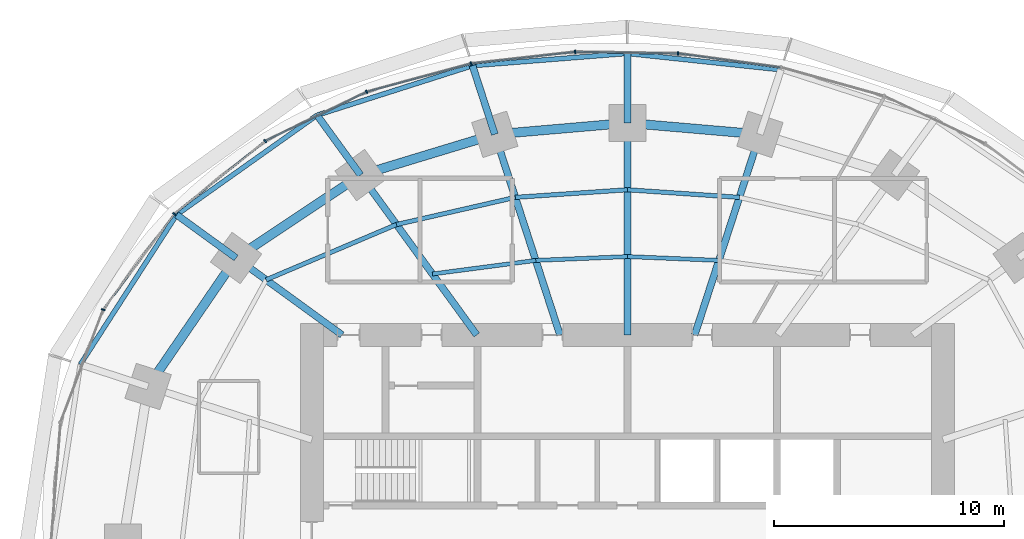
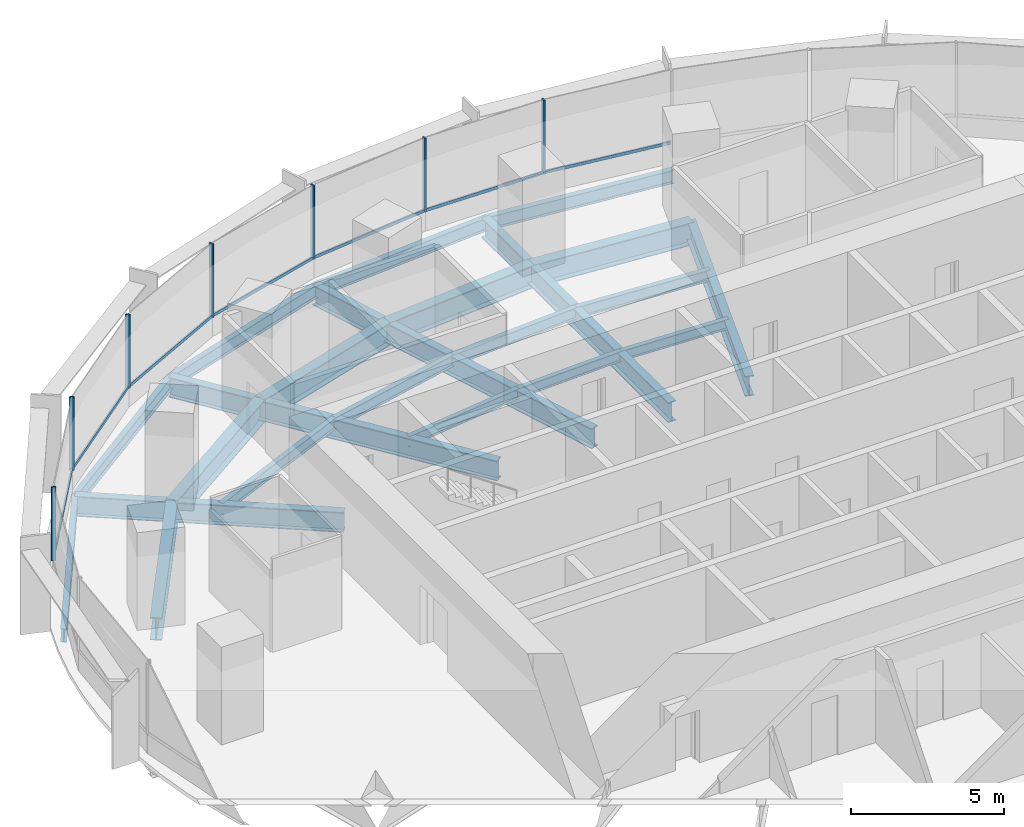
# One storey, part 7 of 14: 26 beams, 14 members, 2 elements without a shape of their own.
"""IFC4 building model written with IfcOpenShell, lengths in metres."""

import ifcopenshell
import ifcopenshell.guid

model = None  # the IFC model being written
_history = None  # IfcOwnerHistory: only IFC2X3 demands one
_inside = {}  # id of a spatial element -> (the spatial element, [elements in it])
_under = {}  # id of a project, library or spatial element -> (it, [spatial elements below it])
_declared = {}  # id of a project -> (the project, [libraries it declares])
_typed = {}  # id of a type object -> (the type object, [elements of that type])
_made_of = {}  # id of a material, layer set ... -> (it, [elements and type objects made of it])


def new_model(schema):
    """Start an empty IFC model of exactly this schema.

    Asked for "IFC4X3", IfcOpenShell would pick the latest addendum, in which some entities
    have other attributes; the version numbers below select the first issue.
    IFC2X3 requires an IfcOwnerHistory on every rooted entity: one is made here for all.
    """
    global model, _history
    if schema == "IFC4X3":
        model = ifcopenshell.file(schema_version=(4, 3, 0, 0))
    else:
        model = ifcopenshell.file(schema=schema)
    _inside.clear()
    _under.clear()
    _declared.clear()
    _typed.clear()
    _made_of.clear()
    _history = None
    if model.schema == "IFC2X3":
        org = make("IfcOrganization", Name="unknown")
        user = make(
            "IfcPersonAndOrganization",
            ThePerson=make("IfcPerson", FamilyName="unknown"),
            TheOrganization=org,
        )
        app = make(
            "IfcApplication",
            ApplicationDeveloper=org,
            Version="unknown",
            ApplicationFullName="unknown",
            ApplicationIdentifier="unknown",
        )
        _history = make(
            "IfcOwnerHistory",
            OwningUser=user,
            OwningApplication=app,
            ChangeAction="ADDED",
            CreationDate=0,
        )
    return model


def make(cls, **values):
    """One entity of the class cls with the attributes given. An attribute that is None is left unset."""
    return model.create_entity(
        cls, **{name: value for name, value in values.items() if value is not None}
    )


def rooted(cls, **values):
    """An entity with a GlobalId (a new one), such as an element, a storey or a relation."""
    return make(cls, GlobalId=ifcopenshell.guid.new(), OwnerHistory=_history, **values)


def si_unit(unit_type, name, prefix=None):
    """IfcSIUnit, for example si_unit("LENGTHUNIT", "METRE", prefix="MILLI")."""
    return make("IfcSIUnit", UnitType=unit_type, Prefix=prefix, Name=name)


def assignment(units):
    """IfcUnitAssignment: the units of a project."""
    return None if units is None else make("IfcUnitAssignment", Units=units)


def point(xyz):
    """IfcCartesianPoint."""
    return None if xyz is None else make("IfcCartesianPoint", Coordinates=xyz)


def direction(xyz):
    """IfcDirection."""
    return None if xyz is None else make("IfcDirection", DirectionRatios=xyz)


def frame(location, z_axis=None, x_axis=None):
    """IfcAxis2Placement3D, a coordinate frame: its origin and axes. An axis left out is left unset."""
    return make(
        "IfcAxis2Placement3D",
        Location=point(location),
        Axis=direction(z_axis),
        RefDirection=direction(x_axis),
    )


def frame_2d(location, x_axis=None):
    """IfcAxis2Placement2D, a coordinate frame in the plane: its origin and x axis."""
    return make(
        "IfcAxis2Placement2D", Location=point(location), RefDirection=direction(x_axis)
    )


def origin():
    """The frame at (0, 0, 0) with its axes left unset."""
    return frame((0.0, 0.0, 0.0))


def origin_2d():
    """The frame at (0, 0) in the plane with its x axis left unset."""
    return frame_2d((0.0, 0.0))


def place(relative_to, where):
    """IfcLocalPlacement: puts the frame where relative to a parent placement (None: the world)."""
    return make(
        "IfcLocalPlacement", PlacementRelTo=relative_to, RelativePlacement=where
    )


def context(
    kind, dimensions, precision=None, world=None, true_north=None, identifier=None
):
    """IfcGeometricRepresentationContext, for example the 3D "Model" context."""
    return make(
        "IfcGeometricRepresentationContext",
        ContextIdentifier=identifier,
        ContextType=kind,
        CoordinateSpaceDimension=dimensions,
        Precision=precision,
        WorldCoordinateSystem=world,
        TrueNorth=true_north,
    )


def subcontext(parent, identifier, kind, view, scale=None):
    """IfcGeometricRepresentationSubContext, for example "Body" below "Model"."""
    return make(
        "IfcGeometricRepresentationSubContext",
        ContextIdentifier=identifier,
        ContextType=kind,
        ParentContext=parent,
        TargetScale=scale,
        TargetView=view,
    )


def project(units=None, contexts=None):
    """IfcProject with its units and contexts."""
    return rooted(
        "IfcProject",
        Name="project",
        RepresentationContexts=contexts,
        UnitsInContext=assignment(units),
    )


def spatial(cls, under=None, at=None, **own):
    """A site, building, storey or space (cls), placed at a placement, below another one or the project."""
    s = rooted(cls, ObjectPlacement=at, **own)
    if under is not None:
        _under.setdefault(under.id(), (under, []))[1].append(s)
    return s


def profile(cls, at=None, kind="AREA", **sizes):
    """A parametric profile (cls). Its sizes go by their IFC names, for example OverallWidth=200.0."""
    return make(cls, ProfileType=kind, Position=at, **sizes)


def rectangle(**sizes):
    """IfcRectangleProfileDef."""
    return profile("IfcRectangleProfileDef", **sizes)


def i_section(**sizes):
    """IfcIShapeProfileDef."""
    return profile("IfcIShapeProfileDef", **sizes)


def extrude(swept, where, along, depth):
    """IfcExtrudedAreaSolid: the profile swept, set in the frame where, extruded along a direction by depth."""
    return make(
        "IfcExtrudedAreaSolid",
        SweptArea=swept,
        Position=where,
        ExtrudedDirection=direction(along),
        Depth=depth,
    )


def shape(context_of_items, identifier, shape_type, items):
    """IfcShapeRepresentation: the items that make up one representation, for example the "Body"."""
    return make(
        "IfcShapeRepresentation",
        ContextOfItems=context_of_items,
        RepresentationIdentifier=identifier,
        RepresentationType=shape_type,
        Items=items,
    )


def material(Name=None, Category=None):
    """IfcMaterial."""
    return make("IfcMaterial", Name=Name, Category=Category)


def material_profile(
    of_material, cross_section, Name=None, Category=None, Priority=None
):
    """IfcMaterialProfile: a cross section and its material."""
    return make(
        "IfcMaterialProfile",
        Name=Name,
        Material=of_material,
        Profile=cross_section,
        Priority=Priority,
        Category=Category,
    )


def profile_set(profiles, Name=None, composite=None):
    """IfcMaterialProfileSet."""
    return make(
        "IfcMaterialProfileSet",
        Name=Name,
        MaterialProfiles=profiles,
        CompositeProfile=composite,
    )


def made_of(thing, what):
    """Note that an element or type object is made of a material, layer set ...; save() writes the relation."""
    if what is not None:
        _made_of.setdefault(what.id(), (what, []))[1].append(thing)
    return thing


def type_object(cls, material=None, **own):
    """A type object (cls), such as IfcWallType, which elements share."""
    return made_of(rooted(cls, **own), material)


def element(
    cls,
    number,
    at=None,
    inside=None,
    cuts=None,
    type_object=None,
    material=None,
    context=None,
    identifier="Body",
    shape_type=None,
    held_by="IfcProductDefinitionShape",
    body=None,
    shapes=None,
    **own,
):
    """One element of the class cls, such as IfcWall. Its Tag is "e" and its number.

    at: its placement. inside: the storey or other place that contains it. cuts: it is an
    opening in that element (IfcRelVoidsElement). A single representation is given by context,
    identifier, shape_type and body (its items); several are given by shapes. held_by: the class
    of the entity that holds the representations. save() writes the other relations.
    """
    e = rooted(cls, Tag="e%d" % number, ObjectPlacement=at, **own)
    if body is not None:
        shapes = [shape(context, identifier, shape_type, body)]
    if shapes is not None:
        e.Representation = make(held_by, Representations=shapes)
    if inside is not None:
        _inside.setdefault(inside.id(), (inside, []))[1].append(e)
    if cuts is not None:
        rooted(
            "IfcRelVoidsElement", RelatingBuildingElement=cuts, RelatedOpeningElement=e
        )
    if type_object is not None:
        _typed.setdefault(type_object.id(), (type_object, []))[1].append(e)
    return made_of(e, material)


def aggregate(whole, parts):
    """IfcRelAggregates: a whole, such as a stair, and the parts it consists of."""
    return rooted("IfcRelAggregates", RelatingObject=whole, RelatedObjects=parts)


def save(model, path):
    """Write the relations noted so far, then the file.

    IfcRelAggregates (storeys below a building ...), IfcRelContainedInSpatialStructure (elements
    in a storey), IfcRelDefinesByType, IfcRelAssociatesMaterial and IfcRelDeclares: one each for
    every whole, place, type object, material and project.
    """
    for whole, parts in _under.values():
        aggregate(whole, parts)
    for where, things in _inside.values():
        rooted(
            "IfcRelContainedInSpatialStructure",
            RelatedElements=things,
            RelatingStructure=where,
        )
    for kind, things in _typed.values():
        rooted("IfcRelDefinesByType", RelatedObjects=things, RelatingType=kind)
    for what, things in _made_of.values():
        rooted("IfcRelAssociatesMaterial", RelatedObjects=things, RelatingMaterial=what)
    for by, libraries in _declared.values():
        rooted("IfcRelDeclares", RelatingContext=by, RelatedDefinitions=libraries)
    model.write(path)


model = new_model("IFC4")

# Units and contexts
model_context = context("Model", 3, precision=1e-05, world=origin(), true_north=direction((0.0, 1.0)))
body_context = subcontext(model_context, "Body", "Model", "MODEL_VIEW")
ifc_project = project(units=[si_unit("LENGTHUNIT", "METRE"), si_unit("AREAUNIT", "SQUARE_METRE"), si_unit("VOLUMEUNIT", "CUBIC_METRE"), si_unit("PLANEANGLEUNIT", "RADIAN"), si_unit("MASSUNIT", "GRAM", prefix="KILO")], contexts=[model_context])

# Site, building, storey
site_placement = place(None, origin())
site = spatial("IfcSite", under=ifc_project, at=site_placement, CompositionType="ELEMENT")
building_placement = place(site_placement, origin())
building = spatial("IfcBuilding", under=site, at=building_placement, Name="Marramba Exchange Tower", CompositionType="ELEMENT")
storey_placement = place(building_placement, frame((0.0, 0.0, 139.199951171875)))
storey = spatial("IfcBuildingStorey", under=building, at=storey_placement, Name="L33", CompositionType="ELEMENT", Elevation=139.199951171875)

# Beams
ifc_material_1 = material(Name="Steel AS/NZS 3679.2 grade 300", Category="steel")
ifc_material_profile_1 = material_profile(ifc_material_1, i_section(OverallWidth=0.300048828125, OverallDepth=0.800048828125, WebThickness=0.013916015625, FlangeThickness=0.031982421875, at=origin_2d()), Name="800WB192")
ifc_profile_set_1 = profile_set([ifc_material_profile_1], Name="Steel AS/NZS 3679.2 grade 300")
beam_type_1 = type_object("IfcBeamType", Name="Cantilever girder 800WB192", PredefinedType="BEAM", material=ifc_profile_set_1)
beam_1_placement = place(storey_placement, frame((0.0, 18.2041015625, -0.56005859375), z_axis=(0.0, 1.0, 0.0), x_axis=(-1.0, 0.0, 0.0)))
element("IfcBeam", 1, at=beam_1_placement, inside=storey, type_object=beam_type_1, Name="Cantilever girder L33 TC06", PredefinedType="BEAM", context=body_context, shape_type="SweptSolid", body=[
    extrude(i_section(OverallWidth=0.300048828125, OverallDepth=0.800048828125, WebThickness=0.013916015625, FlangeThickness=0.031982421875, at=origin_2d()), origin(), (0.0, 0.0, 1.0), 3.01904296875),
])
beam_2_placement = place(storey_placement, frame((-5.75390625, 17.70849609375, -0.56005859375), z_axis=(-0.309028002802, 0.95105293937, 0.0), x_axis=(-0.95105293937, -0.309028002802, 0.0)))
element("IfcBeam", 2, at=beam_2_placement, inside=storey, type_object=beam_type_1, Name="Cantilever girder L33 TC07", PredefinedType="BEAM", context=body_context, shape_type="SweptSolid", body=[
    extrude(i_section(OverallWidth=0.300048828125, OverallDepth=0.800048828125, WebThickness=0.013916015625, FlangeThickness=0.031982421875, at=origin_2d()), origin(), (0.0, 0.0, 1.0), 3.13720703125),
])
beam_3_placement = place(storey_placement, frame((-11.581298828125, 15.9404296875, -0.56005859375), z_axis=(-0.587828447158, 0.808985609706, 0.0), x_axis=(-0.808985609706, -0.587828447158, 0.0)))
element("IfcBeam", 3, at=beam_3_placement, inside=storey, type_object=beam_type_1, Name="Cantilever girder L33 TC08", PredefinedType="BEAM", context=body_context, shape_type="SweptSolid", body=[
    extrude(i_section(OverallWidth=0.300048828125, OverallDepth=0.800048828125, WebThickness=0.013916015625, FlangeThickness=0.031982421875, at=origin_2d()), origin(), (0.0, 0.0, 1.0), 3.214599609375),
])
beam_4_placement = place(storey_placement, frame((-16.98583984375, 12.3408203125, -0.56005859375), z_axis=(-0.809013857915, 0.587789569234, 0.0), x_axis=(-0.587789569234, -0.809013857915, 0.0)))
element("IfcBeam", 4, at=beam_4_placement, inside=storey, type_object=beam_type_1, Name="Cantilever girder L33 TC09", PredefinedType="BEAM", context=body_context, shape_type="SweptSolid", body=[
    extrude(i_section(OverallWidth=0.300048828125, OverallDepth=0.800048828125, WebThickness=0.013916015625, FlangeThickness=0.031982421875, at=origin_2d()), origin(), (0.0, 0.0, 1.0), 3.191650390625),
])
ifc_material_2 = material(Name="Steel AS/NZS 3679.1 grade 300", Category="steel")
ifc_material_profile_2 = material_profile(ifc_material_2, i_section(OverallWidth=0.177978515625, OverallDepth=0.406005859375, WebThickness=0.0078125, FlangeThickness=0.0126953125, FilletRadius=0.011474609375, at=origin_2d()), Name="410UB59.7")
ifc_profile_set_2 = profile_set([ifc_material_profile_2], Name="Steel AS/NZS 3679.1 grade 300")
beam_type_2 = type_object("IfcBeamType", Name="Floor joist 410UB59.7", PredefinedType="JOIST", material=ifc_profile_set_2)
for number, where, z_axis, x_axis, name in (
    (5, (3.975830078125, 12.236083984375, -0.363037109375), (-0.999137002892, 0.041536122257, 0.0), (-0.041536122257, -0.999137002892, 0.0), "Joist L33 bay 05 row 1"),
    (6, (0.0, 12.4013671875, -0.363037109375), (-0.999137002892, -0.041536122257, 0.0), (0.041536122257, -0.999137002892, 0.0), "Joist L33 bay 06 row 1"),
):
    element("IfcBeam", number, at=place(storey_placement, frame(where, z_axis=z_axis, x_axis=x_axis)), inside=storey, type_object=beam_type_2, Name=name, PredefinedType="JOIST", context=body_context, shape_type="SweptSolid", body=[
        extrude(i_section(OverallWidth=0.177978515625, OverallDepth=0.406005859375, WebThickness=0.0078125, FlangeThickness=0.0126953125, FilletRadius=0.011474609375, at=origin_2d()), origin(), (0.0, 0.0, 1.0), 3.979248046875),
    ])
beam_5_placement = place(storey_placement, frame((-3.975830078125, 12.236083984375, -0.363037109375), z_axis=(-0.991480538255, -0.130254912618, 0.0), x_axis=(0.130254912618, -0.991480538255, 0.0)))
element("IfcBeam", 7, at=beam_5_placement, inside=storey, type_object=beam_type_2, Name="Joist L33 bay 07 row 1", PredefinedType="JOIST", context=body_context, shape_type="SweptSolid", body=[
    extrude(i_section(OverallWidth=0.177978515625, OverallDepth=0.406005859375, WebThickness=0.0078125, FlangeThickness=0.0126953125, FilletRadius=0.011474609375, at=origin_2d()), origin(), (0.0, 0.0, 1.0), 4.524658203125),
])
ifc_material_profile_3 = material_profile(ifc_material_2, i_section(OverallWidth=0.18994140625, OverallDepth=0.4541015625, WebThickness=0.008544921875, FlangeThickness=0.0126953125, FilletRadius=0.011474609375, at=origin_2d()), Name="460UB67.1")
ifc_profile_set_3 = profile_set([ifc_material_profile_3], Name="Steel AS/NZS 3679.1 grade 300")
beam_type_3 = type_object("IfcBeamType", Name="Floor joist 460UB67.1", PredefinedType="JOIST", material=ifc_profile_set_3)
for number, where, z_axis, x_axis, name in (
    (8, (4.86474609375, 14.972412109375, -0.386962890625), (-0.997702652202, 0.067745241816, 0.0), (-0.067745241816, -0.997702652202, 0.0), "Joist L33 bay 05 row 2"),
    (9, (0.0, 15.302734375, -0.386962890625), (-0.997702652202, -0.067745241816, 0.0), (0.067745241816, -0.997702652202, 0.0), "Joist L33 bay 06 row 2"),
):
    element("IfcBeam", number, at=place(storey_placement, frame(where, z_axis=z_axis, x_axis=x_axis)), inside=storey, type_object=beam_type_3, Name=name, PredefinedType="JOIST", context=body_context, shape_type="SweptSolid", body=[
        extrude(i_section(OverallWidth=0.18994140625, OverallDepth=0.4541015625, WebThickness=0.008544921875, FlangeThickness=0.0126953125, FilletRadius=0.011474609375, at=origin_2d()), origin(), (0.0, 0.0, 1.0), 4.8759765625),
    ])
beam_6_placement = place(storey_placement, frame((-4.86474609375, 14.972412109375, -0.386962890625), z_axis=(-0.974859652292, -0.222819788916, 0.0), x_axis=(0.222819788916, -0.974859652292, 0.0)))
element("IfcBeam", 10, at=beam_6_placement, inside=storey, type_object=beam_type_3, Name="Joist L33 bay 07 row 2", PredefinedType="JOIST", context=body_context, shape_type="SweptSolid", body=[
    extrude(i_section(OverallWidth=0.18994140625, OverallDepth=0.4541015625, WebThickness=0.008544921875, FlangeThickness=0.0126953125, FilletRadius=0.011474609375, at=origin_2d()), origin(), (0.0, 0.0, 1.0), 5.2900390625),
])
beam_7_placement = place(storey_placement, frame((-10.021728515625, 13.793701171875, -0.386962890625), z_axis=(-0.920674336375, -0.390331610738, 0.0), x_axis=(0.390331610738, -0.920674336375, 0.0)))
element("IfcBeam", 11, at=beam_7_placement, inside=storey, type_object=beam_type_3, Name="Joist L33 bay 08 row 2", PredefinedType="JOIST", context=body_context, shape_type="SweptSolid", body=[
    extrude(i_section(OverallWidth=0.18994140625, OverallDepth=0.4541015625, WebThickness=0.008544921875, FlangeThickness=0.0126953125, FilletRadius=0.011474609375, at=origin_2d()), origin(), (0.0, 0.0, 1.0), 6.1484375),
])

# Curtain wall, members
ifc_material_3 = material(Name="Aluminium framing, bronze anodised", Category="aluminium")
curtain_wall_type = type_object("IfcCurtainWallType", Name="Office ribbon curtain wall", PredefinedType="USERDEFINED", material=ifc_material_3)
curtain_wall_1_placement = place(storey_placement, origin())
curtain_wall_1 = element("IfcCurtainWall", 12, at=curtain_wall_1_placement, inside=storey, type_object=curtain_wall_type, Name="Curtain wall CW4 L33 F06-F10", ObjectType="RIBBON CURTAIN WALL", PredefinedType="USERDEFINED")
ifc_material_4 = material(Name="Aluminium mullion, bronze anodised", Category="aluminium")
ifc_material_profile_4 = material_profile(ifc_material_4, rectangle(XDim=0.159912109375, YDim=0.06005859375, at=origin_2d()), Name="CW4 mullion 60x160")
ifc_profile_set_4 = profile_set([ifc_material_profile_4], Name="Aluminium mullion, bronze anodised")
member_type_1 = type_object("IfcMemberType", Name="Office ribbon curtain wall mullion", PredefinedType="MULLION", material=ifc_profile_set_4)
member_1_placement = place(storey_placement, frame((2.200439453125, 21.2216796875, 0.800048828125), z_axis=(0.0, 0.0, 1.0), x_axis=(-0.01575578169, -0.999875869968, 0.0)))
member_1 = element("IfcMember", 13, at=member_1_placement, type_object=member_type_1, Name="CW4 mullion 1", PredefinedType="MULLION", context=body_context, shape_type="SweptSolid", body=[
    extrude(rectangle(XDim=0.159912109375, YDim=0.06005859375, at=origin_2d()), origin(), (0.0, 0.0, 1.0), 2.93994140625),
])
member_2_placement = place(storey_placement, frame((-2.267578125, 21.288330078125, 0.800048828125), z_axis=(0.0, 0.0, 1.0), x_axis=(0.110973233233, -0.993823395532, 0.0)))
member_2 = element("IfcMember", 14, at=member_2_placement, type_object=member_type_1, Name="CW4 mullion 1", PredefinedType="MULLION", context=body_context, shape_type="SweptSolid", body=[
    extrude(rectangle(XDim=0.159912109375, YDim=0.06005859375, at=origin_2d()), origin(), (0.0, 0.0, 1.0), 2.93994140625),
])
member_3_placement = place(storey_placement, frame((-6.783203125, 20.779541015625, 0.800048828125), z_axis=(0.0, 0.0, 1.0), x_axis=(0.260321294588, -0.965522047176, 0.0)))
member_3 = element("IfcMember", 15, at=member_3_placement, type_object=member_type_1, Name="CW4 mullion 1", PredefinedType="MULLION", context=body_context, shape_type="SweptSolid", body=[
    extrude(rectangle(XDim=0.159912109375, YDim=0.06005859375, at=origin_2d()), origin(), (0.0, 0.0, 1.0), 2.93994140625),
])

curtain_wall_2_placement = place(storey_placement, origin())
curtain_wall_2 = element("IfcCurtainWall", 16, at=curtain_wall_2_placement, inside=storey, type_object=curtain_wall_type, Name="Curtain wall CW4 L33 F11-F15", ObjectType="RIBBON CURTAIN WALL", PredefinedType="USERDEFINED")
member_4_placement = place(storey_placement, frame((-11.32177734375, 19.550048828125, 0.800048828125), z_axis=(0.0, 0.0, 1.0), x_axis=(0.435427626771, -0.900223739881, 0.0)))
member_4 = element("IfcMember", 17, at=member_4_placement, type_object=member_type_1, Name="CW4 mullion 1", PredefinedType="MULLION", context=body_context, shape_type="SweptSolid", body=[
    extrude(rectangle(XDim=0.159912109375, YDim=0.06005859375, at=origin_2d()), origin(), (0.0, 0.0, 1.0), 2.93994140625),
])
member_5_placement = place(storey_placement, frame((-15.720703125, 17.414794921875, 0.800048828125), z_axis=(0.0, 0.0, 1.0), x_axis=(0.624307950145, -0.78117833008, 0.0)))
member_5 = element("IfcMember", 18, at=member_5_placement, type_object=member_type_1, Name="CW4 mullion 1", PredefinedType="MULLION", context=body_context, shape_type="SweptSolid", body=[
    extrude(rectangle(XDim=0.159912109375, YDim=0.06005859375, at=origin_2d()), origin(), (0.0, 0.0, 1.0), 2.93994140625),
])
member_6_placement = place(storey_placement, frame((-19.666748046875, 14.251708984375, 0.800048828125), z_axis=(0.0, 0.0, 1.0), x_axis=(0.80171686484, -0.597703997504, 0.0)))
member_6 = element("IfcMember", 19, at=member_6_placement, type_object=member_type_1, Name="CW4 mullion 1", PredefinedType="MULLION", context=body_context, shape_type="SweptSolid", body=[
    extrude(rectangle(XDim=0.159912109375, YDim=0.06005859375, at=origin_2d()), origin(), (0.0, 0.0, 1.0), 2.93994140625),
])
member_7_placement = place(storey_placement, frame((-22.75341796875, 10.09765625, 0.800048828125), z_axis=(0.0, 0.0, 1.0), x_axis=(0.934925346317, -0.354844468484, 0.0)))
member_7 = element("IfcMember", 20, at=member_7_placement, type_object=member_type_1, Name="CW4 mullion 1", PredefinedType="MULLION", context=body_context, shape_type="SweptSolid", body=[
    extrude(rectangle(XDim=0.159912109375, YDim=0.06005859375, at=origin_2d()), origin(), (0.0, 0.0, 1.0), 2.93994140625),
])

# Member
ifc_material_5 = material(Name="Aluminium transom, bronze anodised", Category="aluminium")
ifc_material_profile_5 = material_profile(ifc_material_5, rectangle(XDim=0.06005859375, YDim=0.1201171875, at=origin_2d()), Name="CW4 transom 60x120")
ifc_profile_set_5 = profile_set([ifc_material_profile_5], Name="Aluminium transom, bronze anodised")
member_type_2 = type_object("IfcMemberType", Name="Office ribbon curtain wall transom", PredefinedType="USERDEFINED", material=ifc_profile_set_5)
member_8_placement = place(storey_placement, frame((6.636962890625, 20.6171875, 0.830078125), z_axis=(-0.990736067897, 0.135801486619, 0.0), x_axis=(-0.135801486619, -0.990736067897, 0.0)))
member_8 = element("IfcMember", 21, at=member_8_placement, type_object=member_type_2, Name="CW4 sill transom", ObjectType="TRANSOM", PredefinedType="USERDEFINED", context=body_context, shape_type="SweptSolid", body=[
    extrude(rectangle(XDim=0.06005859375, YDim=0.1201171875, at=origin_2d()), origin(), (0.0, 0.0, 1.0), 4.44775390625),
])

member_9_placement = place(storey_placement, frame((2.17041015625, 21.22216796875, 0.830078125), z_axis=(-0.999875452363, 0.015782260962, 0.0), x_axis=(-0.015782260962, -0.999875452363, 0.0)))
member_9 = element("IfcMember", 22, at=member_9_placement, type_object=member_type_2, Name="CW4 sill transom", ObjectType="TRANSOM", PredefinedType="USERDEFINED", context=body_context, shape_type="SweptSolid", body=[
    extrude(rectangle(XDim=0.06005859375, YDim=0.1201171875, at=origin_2d()), origin(), (0.0, 0.0, 1.0), 4.40869140625),
])

member_10_placement = place(storey_placement, frame((-2.29736328125, 21.284912109375, 0.830078125), z_axis=(-0.993825837835, -0.110951358943, 0.0), x_axis=(0.110951358943, -0.993825837835, 0.0)))
member_10 = element("IfcMember", 23, at=member_10_placement, type_object=member_type_2, Name="CW4 sill transom", ObjectType="TRANSOM", PredefinedType="USERDEFINED", context=body_context, shape_type="SweptSolid", body=[
    extrude(rectangle(XDim=0.06005859375, YDim=0.1201171875, at=origin_2d()), origin(), (0.0, 0.0, 1.0), 4.484375),
])

member_11_placement = place(storey_placement, frame((-6.812255859375, 20.771728515625, 0.830078125), z_axis=(-0.965511085148, -0.260361948942, 0.0), x_axis=(0.260361948942, -0.965511085148, 0.0)))
member_11 = element("IfcMember", 24, at=member_11_placement, type_object=member_type_2, Name="CW4 sill transom", ObjectType="TRANSOM", PredefinedType="USERDEFINED", context=body_context, shape_type="SweptSolid", body=[
    extrude(rectangle(XDim=0.06005859375, YDim=0.1201171875, at=origin_2d()), origin(), (0.0, 0.0, 1.0), 4.642578125),
])

aggregate(curtain_wall_1, [member_8, member_1, member_9, member_2, member_10, member_3, member_11])

member_12_placement = place(storey_placement, frame((-11.348876953125, 19.536865234375, 0.830078125), z_axis=(-0.900223166385, -0.435428812442, 0.0), x_axis=(0.435428812442, -0.900223166385, 0.0)))
member_12 = element("IfcMember", 25, at=member_12_placement, type_object=member_type_2, Name="CW4 sill transom", ObjectType="TRANSOM", PredefinedType="USERDEFINED", context=body_context, shape_type="SweptSolid", body=[
    extrude(rectangle(XDim=0.06005859375, YDim=0.1201171875, at=origin_2d()), origin(), (0.0, 0.0, 1.0), 4.830322265625),
])

member_13_placement = place(storey_placement, frame((-15.744140625, 17.396240234375, 0.830078125), z_axis=(-0.781164169531, -0.624325668414, 0.0), x_axis=(0.624325668414, -0.781164169531, 0.0)))
member_13 = element("IfcMember", 26, at=member_13_placement, type_object=member_type_2, Name="CW4 sill transom", ObjectType="TRANSOM", PredefinedType="USERDEFINED", context=body_context, shape_type="SweptSolid", body=[
    extrude(rectangle(XDim=0.06005859375, YDim=0.1201171875, at=origin_2d()), origin(), (0.0, 0.0, 1.0), 4.998291015625),
])

member_14_placement = place(storey_placement, frame((-19.6845703125, 14.2275390625, 0.830078125), z_axis=(-0.597714731658, -0.801708862093, 0.0), x_axis=(0.801708862093, -0.597714731658, 0.0)))
member_14 = element("IfcMember", 27, at=member_14_placement, type_object=member_type_2, Name="CW4 sill transom", ObjectType="TRANSOM", PredefinedType="USERDEFINED", context=body_context, shape_type="SweptSolid", body=[
    extrude(rectangle(XDim=0.06005859375, YDim=0.1201171875, at=origin_2d()), origin(), (0.0, 0.0, 1.0), 5.1162109375),
])

aggregate(curtain_wall_2, [member_4, member_12, member_5, member_13, member_6, member_14, member_7])

# Beams
ifc_material_profile_6 = material_profile(ifc_material_1, i_section(OverallWidth=0.300048828125, OverallDepth=0.800048828125, WebThickness=0.013916015625, FlangeThickness=0.031982421875, at=origin_2d()), Name="800WB192")
ifc_profile_set_6 = profile_set([ifc_material_profile_6], Name="Steel AS/NZS 3679.2 grade 300")
beam_type_4 = type_object("IfcBeamType", Name="Radial girder 800WB192", PredefinedType="BEAM", material=ifc_profile_set_6)
beam_8_placement = place(storey_placement, frame((2.92431640625, 9.0, -0.56005859375), z_axis=(0.309019754162, 0.951055619582, 0.0), x_axis=(-0.951055619582, 0.309019754162, 0.0)))
element("IfcBeam", 28, at=beam_8_placement, inside=storey, type_object=beam_type_4, Name="Radial girder L33 TC05", PredefinedType="BEAM", context=body_context, shape_type="SweptSolid", body=[
    extrude(i_section(OverallWidth=0.300048828125, OverallDepth=0.800048828125, WebThickness=0.013916015625, FlangeThickness=0.031982421875, at=origin_2d()), origin(), (0.0, 0.0, 1.0), 9.15673828125),
])
beam_9_placement = place(storey_placement, frame((0.0, 9.0, -0.56005859375), z_axis=(0.0, 1.0, 0.0), x_axis=(-1.0, 0.0, 0.0)))
element("IfcBeam", 29, at=beam_9_placement, inside=storey, type_object=beam_type_4, Name="Radial girder L33 TC06", PredefinedType="BEAM", context=body_context, shape_type="SweptSolid", body=[
    extrude(i_section(OverallWidth=0.300048828125, OverallDepth=0.800048828125, WebThickness=0.013916015625, FlangeThickness=0.031982421875, at=origin_2d()), origin(), (0.0, 0.0, 1.0), 9.2041015625),
])
beam_10_placement = place(storey_placement, frame((-2.92431640625, 9.0, -0.56005859375), z_axis=(-0.309019754162, 0.951055619582, 0.0), x_axis=(-0.951055619582, -0.309019754162, 0.0)))
element("IfcBeam", 30, at=beam_10_placement, inside=storey, type_object=beam_type_4, Name="Radial girder L33 TC07", PredefinedType="BEAM", context=body_context, shape_type="SweptSolid", body=[
    extrude(i_section(OverallWidth=0.300048828125, OverallDepth=0.800048828125, WebThickness=0.013916015625, FlangeThickness=0.031982421875, at=origin_2d()), origin(), (0.0, 0.0, 1.0), 9.15673828125),
])
beam_11_placement = place(storey_placement, frame((-6.538818359375, 9.0, -0.56005859375), z_axis=(-0.587782439969, 0.80901903764, 0.0), x_axis=(-0.80901903764, -0.587782439969, 0.0)))
element("IfcBeam", 31, at=beam_11_placement, inside=storey, type_object=beam_type_4, Name="Radial girder L33 TC08", PredefinedType="BEAM", context=body_context, shape_type="SweptSolid", body=[
    extrude(i_section(OverallWidth=0.300048828125, OverallDepth=0.800048828125, WebThickness=0.013916015625, FlangeThickness=0.031982421875, at=origin_2d()), origin(), (0.0, 0.0, 1.0), 8.578857421875),
])
beam_12_placement = place(storey_placement, frame((-12.387451171875, 9.0, -0.56005859375), z_axis=(-0.809025746925, 0.587773205252, 0.0), x_axis=(-0.587773205252, -0.809025746925, 0.0)))
element("IfcBeam", 32, at=beam_12_placement, inside=storey, type_object=beam_type_4, Name="Radial girder L33 TC09", PredefinedType="BEAM", context=body_context, shape_type="SweptSolid", body=[
    extrude(i_section(OverallWidth=0.300048828125, OverallDepth=0.800048828125, WebThickness=0.013916015625, FlangeThickness=0.031982421875, at=origin_2d()), origin(), (0.0, 0.0, 1.0), 5.683837890625),
])
ifc_material_profile_7 = material_profile(ifc_material_1, i_section(OverallWidth=0.39990234375, OverallDepth=0.89990234375, WebThickness=0.01611328125, FlangeThickness=0.031982421875, at=origin_2d()), Name="900WB282")
ifc_profile_set_7 = profile_set([ifc_material_profile_7], Name="Steel AS/NZS 3679.2 grade 300")
beam_type_5 = type_object("IfcBeamType", Name="Ring beam 900WB282", PredefinedType="SPANDREL", material=ifc_profile_set_7)
for number, where, z_axis, x_axis, name in (
    (33, (5.75390625, 17.70849609375, -0.60986328125), (-0.996311003275, 0.085815993578, 0.0), (-0.085815993578, -0.996311003275, 0.0), "Ring beam L33 TC05-TC06"),
    (34, (0.0, 18.2041015625, -0.60986328125), (-0.996311003275, -0.085815993578, 0.0), (0.085815993578, -0.996311003275, 0.0), "Ring beam L33 TC06-TC07"),
):
    element("IfcBeam", number, at=place(storey_placement, frame(where, z_axis=z_axis, x_axis=x_axis)), inside=storey, type_object=beam_type_5, Name=name, PredefinedType="SPANDREL", context=body_context, shape_type="SweptSolid", body=[
        extrude(i_section(OverallWidth=0.39990234375, OverallDepth=0.89990234375, WebThickness=0.01611328125, FlangeThickness=0.031982421875, at=origin_2d()), origin(), (0.0, 0.0, 1.0), 5.775146484375),
    ])
beam_13_placement = place(storey_placement, frame((-5.75390625, 17.70849609375, -0.60986328125), z_axis=(-0.956924542524, -0.290336735387, 0.0), x_axis=(0.290336735387, -0.956924542524, 0.0)))
element("IfcBeam", 35, at=beam_13_placement, inside=storey, type_object=beam_type_5, Name="Ring beam L33 TC07-TC08", PredefinedType="SPANDREL", context=body_context, shape_type="SweptSolid", body=[
    extrude(i_section(OverallWidth=0.39990234375, OverallDepth=0.89990234375, WebThickness=0.01611328125, FlangeThickness=0.031982421875, at=origin_2d()), origin(), (0.0, 0.0, 1.0), 6.089599609375),
])
beam_14_placement = place(storey_placement, frame((-11.581298828125, 15.9404296875, -0.60986328125), z_axis=(-0.832293151443, -0.554335737673, 0.0), x_axis=(0.554335737673, -0.832293151443, 0.0)))
element("IfcBeam", 36, at=beam_14_placement, inside=storey, type_object=beam_type_5, Name="Ring beam L33 TC08-TC09", PredefinedType="SPANDREL", context=body_context, shape_type="SweptSolid", body=[
    extrude(i_section(OverallWidth=0.39990234375, OverallDepth=0.89990234375, WebThickness=0.01611328125, FlangeThickness=0.031982421875, at=origin_2d()), origin(), (0.0, 0.0, 1.0), 6.49365234375),
])
beam_15_placement = place(storey_placement, frame((-16.98583984375, 12.3408203125, -0.60986328125), z_axis=(-0.56516002054, -0.824981303535, 0.0), x_axis=(0.824981303535, -0.56516002054, 0.0)))
element("IfcBeam", 37, at=beam_15_placement, inside=storey, type_object=beam_type_5, Name="Ring beam L33 TC09-TC10", PredefinedType="SPANDREL", context=body_context, shape_type="SweptSolid", body=[
    extrude(i_section(OverallWidth=0.39990234375, OverallDepth=0.89990234375, WebThickness=0.01611328125, FlangeThickness=0.031982421875, at=origin_2d()), origin(), (0.0, 0.0, 1.0), 6.763671875),
])
ifc_material_profile_8 = material_profile(ifc_material_2, i_section(OverallWidth=0.208984375, OverallDepth=0.528076171875, WebThickness=0.009521484375, FlangeThickness=0.01318359375, FilletRadius=0.013916015625, at=origin_2d()), Name="530UB82.0")
ifc_profile_set_8 = profile_set([ifc_material_profile_8], Name="Steel AS/NZS 3679.1 grade 300")
beam_type_6 = type_object("IfcBeamType", Name="Slab edge beam 530UB82.0", PredefinedType="SPANDREL", material=ifc_profile_set_8)
beam_16_placement = place(storey_placement, frame((6.66552734375, 20.51416015625, -0.424072265625), z_axis=(-0.994390706415, 0.105769196815, 0.0), x_axis=(-0.105769196815, -0.994390706415, 0.0)))
element("IfcBeam", 38, at=beam_16_placement, inside=storey, type_object=beam_type_6, Name="Slab edge beam L33 TC05-TC06", PredefinedType="SPANDREL", context=body_context, shape_type="SweptSolid", body=[
    extrude(i_section(OverallWidth=0.208984375, OverallDepth=0.528076171875, WebThickness=0.009521484375, FlangeThickness=0.01318359375, FilletRadius=0.013916015625, at=origin_2d()), origin(), (0.0, 0.0, 1.0), 6.703125),
])
beam_17_placement = place(storey_placement, frame((0.0, 21.22314453125, -0.424072265625), z_axis=(-0.996895681721, -0.078733726996, 0.0), x_axis=(0.078733726996, -0.996895681721, 0.0)))
element("IfcBeam", 39, at=beam_17_placement, inside=storey, type_object=beam_type_6, Name="Slab edge beam L33 TC06-TC07", PredefinedType="SPANDREL", context=body_context, shape_type="SweptSolid", body=[
    extrude(i_section(OverallWidth=0.208984375, OverallDepth=0.528076171875, WebThickness=0.009521484375, FlangeThickness=0.01318359375, FilletRadius=0.013916015625, at=origin_2d()), origin(), (0.0, 0.0, 1.0), 6.744384765625),
])
beam_18_placement = place(storey_placement, frame((-6.723388671875, 20.692138671875, -0.424072265625), z_axis=(-0.952755400854, -0.303738614839, 0.0), x_axis=(0.303738614839, -0.952755400854, 0.0)))
element("IfcBeam", 40, at=beam_18_placement, inside=storey, type_object=beam_type_6, Name="Slab edge beam L33 TC07-TC08", PredefinedType="SPANDREL", context=body_context, shape_type="SweptSolid", body=[
    extrude(i_section(OverallWidth=0.208984375, OverallDepth=0.528076171875, WebThickness=0.009521484375, FlangeThickness=0.01318359375, FilletRadius=0.013916015625, at=origin_2d()), origin(), (0.0, 0.0, 1.0), 7.08203125),
])
beam_19_placement = place(storey_placement, frame((-13.470947265625, 18.541015625, -0.424072265625), z_axis=(-0.815673202412, -0.578512944425, 0.0), x_axis=(0.578512944425, -0.815673202412, 0.0)))
element("IfcBeam", 41, at=beam_19_placement, inside=storey, type_object=beam_type_6, Name="Slab edge beam L33 TC08-TC09", PredefinedType="SPANDREL", context=body_context, shape_type="SweptSolid", body=[
    extrude(i_section(OverallWidth=0.208984375, OverallDepth=0.528076171875, WebThickness=0.009521484375, FlangeThickness=0.01318359375, FilletRadius=0.013916015625, at=origin_2d()), origin(), (0.0, 0.0, 1.0), 7.474609375),
])
beam_20_placement = place(storey_placement, frame((-19.56787109375, 14.216796875, -0.424072265625), z_axis=(-0.541060886597, -0.840983422544, 0.0), x_axis=(0.840983422544, -0.541060886597, 0.0)))
element("IfcBeam", 42, at=beam_20_placement, inside=storey, type_object=beam_type_6, Name="Slab edge beam L33 TC09-TC10", PredefinedType="SPANDREL", context=body_context, shape_type="SweptSolid", body=[
    extrude(i_section(OverallWidth=0.208984375, OverallDepth=0.528076171875, WebThickness=0.009521484375, FlangeThickness=0.01318359375, FilletRadius=0.013916015625, at=origin_2d()), origin(), (0.0, 0.0, 1.0), 7.72900390625),
])

save(model, "model.ifc")
